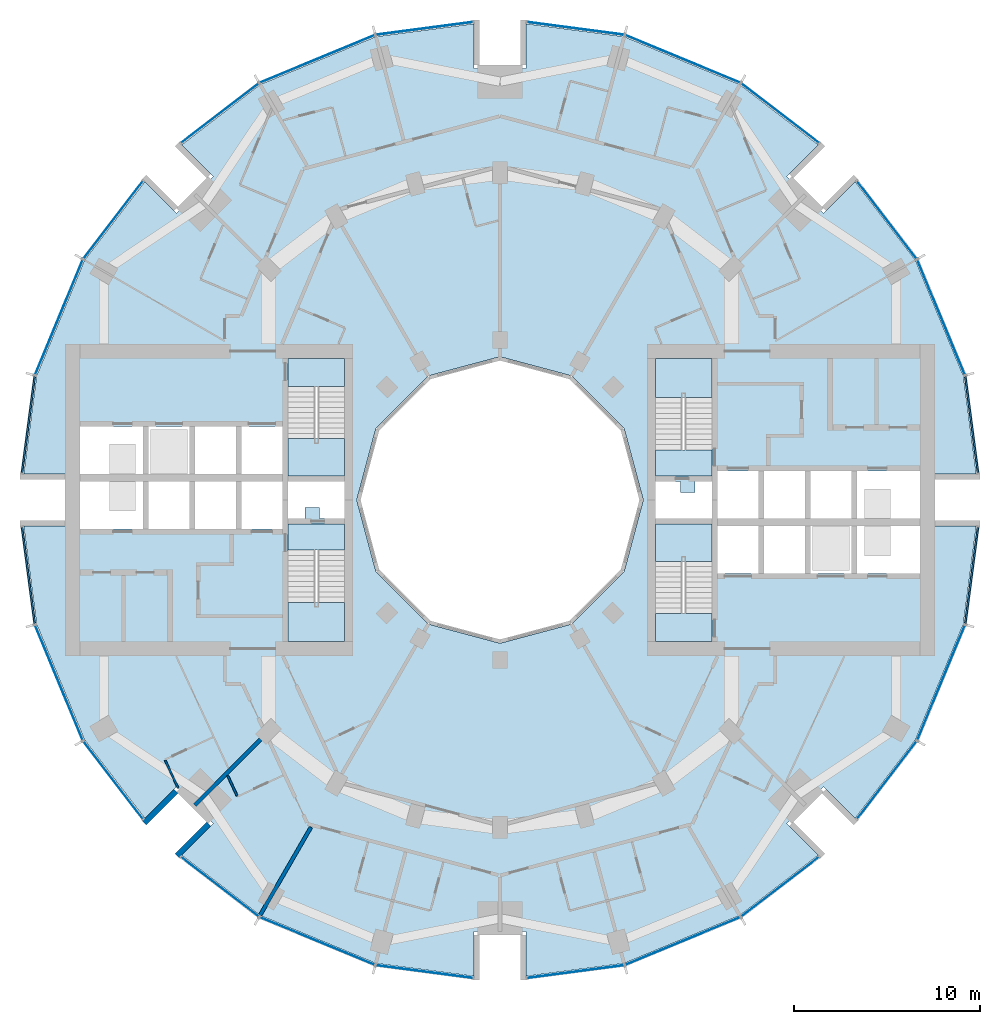
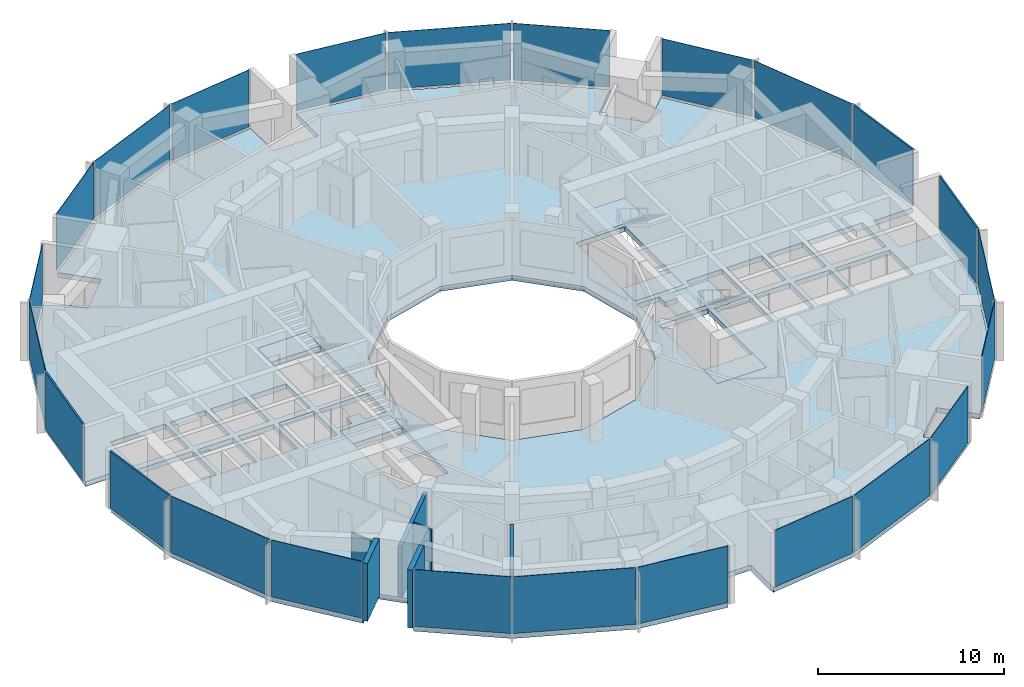
# One storey, part 7 of 15: 24 plates, 9 slabs, 6 walls, 28 elements without a shape of their own.
"""IFC4 building model written with IfcOpenShell, lengths in metres."""

import ifcopenshell
import ifcopenshell.guid

model = None  # the IFC model being written
_history = None  # IfcOwnerHistory: only IFC2X3 demands one
_inside = {}  # id of a spatial element -> (the spatial element, [elements in it])
_under = {}  # id of a project, library or spatial element -> (it, [spatial elements below it])
_declared = {}  # id of a project -> (the project, [libraries it declares])
_typed = {}  # id of a type object -> (the type object, [elements of that type])
_made_of = {}  # id of a material, layer set ... -> (it, [elements and type objects made of it])


def new_model(schema):
    """Start an empty IFC model of exactly this schema.

    Asked for "IFC4X3", IfcOpenShell would pick the latest addendum, in which some entities
    have other attributes; the version numbers below select the first issue.
    IFC2X3 requires an IfcOwnerHistory on every rooted entity: one is made here for all.
    """
    global model, _history
    if schema == "IFC4X3":
        model = ifcopenshell.file(schema_version=(4, 3, 0, 0))
    else:
        model = ifcopenshell.file(schema=schema)
    _inside.clear()
    _under.clear()
    _declared.clear()
    _typed.clear()
    _made_of.clear()
    _history = None
    if model.schema == "IFC2X3":
        org = make("IfcOrganization", Name="unknown")
        user = make(
            "IfcPersonAndOrganization",
            ThePerson=make("IfcPerson", FamilyName="unknown"),
            TheOrganization=org,
        )
        app = make(
            "IfcApplication",
            ApplicationDeveloper=org,
            Version="unknown",
            ApplicationFullName="unknown",
            ApplicationIdentifier="unknown",
        )
        _history = make(
            "IfcOwnerHistory",
            OwningUser=user,
            OwningApplication=app,
            ChangeAction="ADDED",
            CreationDate=0,
        )
    return model


def make(cls, **values):
    """One entity of the class cls with the attributes given. An attribute that is None is left unset."""
    return model.create_entity(
        cls, **{name: value for name, value in values.items() if value is not None}
    )


def rooted(cls, **values):
    """An entity with a GlobalId (a new one), such as an element, a storey or a relation."""
    return make(cls, GlobalId=ifcopenshell.guid.new(), OwnerHistory=_history, **values)


def si_unit(unit_type, name, prefix=None):
    """IfcSIUnit, for example si_unit("LENGTHUNIT", "METRE", prefix="MILLI")."""
    return make("IfcSIUnit", UnitType=unit_type, Prefix=prefix, Name=name)


def assignment(units):
    """IfcUnitAssignment: the units of a project."""
    return None if units is None else make("IfcUnitAssignment", Units=units)


def point(xyz):
    """IfcCartesianPoint."""
    return None if xyz is None else make("IfcCartesianPoint", Coordinates=xyz)


def direction(xyz):
    """IfcDirection."""
    return None if xyz is None else make("IfcDirection", DirectionRatios=xyz)


def frame(location, z_axis=None, x_axis=None):
    """IfcAxis2Placement3D, a coordinate frame: its origin and axes. An axis left out is left unset."""
    return make(
        "IfcAxis2Placement3D",
        Location=point(location),
        Axis=direction(z_axis),
        RefDirection=direction(x_axis),
    )


def frame_2d(location, x_axis=None):
    """IfcAxis2Placement2D, a coordinate frame in the plane: its origin and x axis."""
    return make(
        "IfcAxis2Placement2D", Location=point(location), RefDirection=direction(x_axis)
    )


def origin():
    """The frame at (0, 0, 0) with its axes left unset."""
    return frame((0.0, 0.0, 0.0))


def origin_2d():
    """The frame at (0, 0) in the plane with its x axis left unset."""
    return frame_2d((0.0, 0.0))


def place(relative_to, where):
    """IfcLocalPlacement: puts the frame where relative to a parent placement (None: the world)."""
    return make(
        "IfcLocalPlacement", PlacementRelTo=relative_to, RelativePlacement=where
    )


def context(
    kind, dimensions, precision=None, world=None, true_north=None, identifier=None
):
    """IfcGeometricRepresentationContext, for example the 3D "Model" context."""
    return make(
        "IfcGeometricRepresentationContext",
        ContextIdentifier=identifier,
        ContextType=kind,
        CoordinateSpaceDimension=dimensions,
        Precision=precision,
        WorldCoordinateSystem=world,
        TrueNorth=true_north,
    )


def subcontext(parent, identifier, kind, view, scale=None):
    """IfcGeometricRepresentationSubContext, for example "Body" below "Model"."""
    return make(
        "IfcGeometricRepresentationSubContext",
        ContextIdentifier=identifier,
        ContextType=kind,
        ParentContext=parent,
        TargetScale=scale,
        TargetView=view,
    )


def project(units=None, contexts=None):
    """IfcProject with its units and contexts."""
    return rooted(
        "IfcProject",
        Name="project",
        RepresentationContexts=contexts,
        UnitsInContext=assignment(units),
    )


def spatial(cls, under=None, at=None, **own):
    """A site, building, storey or space (cls), placed at a placement, below another one or the project."""
    s = rooted(cls, ObjectPlacement=at, **own)
    if under is not None:
        _under.setdefault(under.id(), (under, []))[1].append(s)
    return s


def polyline(points):
    """IfcPolyline through the points."""
    return make("IfcPolyline", Points=[point(p) for p in points])


def profile(cls, at=None, kind="AREA", **sizes):
    """A parametric profile (cls). Its sizes go by their IFC names, for example OverallWidth=200.0."""
    return make(cls, ProfileType=kind, Position=at, **sizes)


def rectangle(**sizes):
    """IfcRectangleProfileDef."""
    return profile("IfcRectangleProfileDef", **sizes)


def outline(outer, holes=None, kind="AREA"):
    """IfcArbitraryClosedProfileDef: a profile drawn as a closed curve; with holes, ...WithVoids."""
    if holes is None:
        return make("IfcArbitraryClosedProfileDef", ProfileType=kind, OuterCurve=outer)
    return make(
        "IfcArbitraryProfileDefWithVoids",
        ProfileType=kind,
        OuterCurve=outer,
        InnerCurves=holes,
    )


def extrude(swept, where, along, depth):
    """IfcExtrudedAreaSolid: the profile swept, set in the frame where, extruded along a direction by depth."""
    return make(
        "IfcExtrudedAreaSolid",
        SweptArea=swept,
        Position=where,
        ExtrudedDirection=direction(along),
        Depth=depth,
    )


def shape(context_of_items, identifier, shape_type, items):
    """IfcShapeRepresentation: the items that make up one representation, for example the "Body"."""
    return make(
        "IfcShapeRepresentation",
        ContextOfItems=context_of_items,
        RepresentationIdentifier=identifier,
        RepresentationType=shape_type,
        Items=items,
    )


def material(Name=None, Category=None):
    """IfcMaterial."""
    return make("IfcMaterial", Name=Name, Category=Category)


def layer(
    of_material, thickness, ventilated=None, Name=None, Category=None, Priority=None
):
    """IfcMaterialLayer: one layer of a wall or slab, of a material (None: an air gap)."""
    return make(
        "IfcMaterialLayer",
        Material=of_material,
        LayerThickness=thickness,
        IsVentilated=ventilated,
        Name=Name,
        Category=Category,
        Priority=Priority,
    )


def layer_set(layers, Name=None):
    """IfcMaterialLayerSet."""
    return make("IfcMaterialLayerSet", MaterialLayers=layers, LayerSetName=Name)


def made_of(thing, what):
    """Note that an element or type object is made of a material, layer set ...; save() writes the relation."""
    if what is not None:
        _made_of.setdefault(what.id(), (what, []))[1].append(thing)
    return thing


def type_object(cls, material=None, **own):
    """A type object (cls), such as IfcWallType, which elements share."""
    return made_of(rooted(cls, **own), material)


def element(
    cls,
    number,
    at=None,
    inside=None,
    cuts=None,
    type_object=None,
    material=None,
    context=None,
    identifier="Body",
    shape_type=None,
    held_by="IfcProductDefinitionShape",
    body=None,
    shapes=None,
    **own,
):
    """One element of the class cls, such as IfcWall. Its Tag is "e" and its number.

    at: its placement. inside: the storey or other place that contains it. cuts: it is an
    opening in that element (IfcRelVoidsElement). A single representation is given by context,
    identifier, shape_type and body (its items); several are given by shapes. held_by: the class
    of the entity that holds the representations. save() writes the other relations.
    """
    e = rooted(cls, Tag="e%d" % number, ObjectPlacement=at, **own)
    if body is not None:
        shapes = [shape(context, identifier, shape_type, body)]
    if shapes is not None:
        e.Representation = make(held_by, Representations=shapes)
    if inside is not None:
        _inside.setdefault(inside.id(), (inside, []))[1].append(e)
    if cuts is not None:
        rooted(
            "IfcRelVoidsElement", RelatingBuildingElement=cuts, RelatedOpeningElement=e
        )
    if type_object is not None:
        _typed.setdefault(type_object.id(), (type_object, []))[1].append(e)
    return made_of(e, material)


def aggregate(whole, parts):
    """IfcRelAggregates: a whole, such as a stair, and the parts it consists of."""
    return rooted("IfcRelAggregates", RelatingObject=whole, RelatedObjects=parts)


def save(model, path):
    """Write the relations noted so far, then the file.

    IfcRelAggregates (storeys below a building ...), IfcRelContainedInSpatialStructure (elements
    in a storey), IfcRelDefinesByType, IfcRelAssociatesMaterial and IfcRelDeclares: one each for
    every whole, place, type object, material and project.
    """
    for whole, parts in _under.values():
        aggregate(whole, parts)
    for where, things in _inside.values():
        rooted(
            "IfcRelContainedInSpatialStructure",
            RelatedElements=things,
            RelatingStructure=where,
        )
    for kind, things in _typed.values():
        rooted("IfcRelDefinesByType", RelatedObjects=things, RelatingType=kind)
    for what, things in _made_of.values():
        rooted("IfcRelAssociatesMaterial", RelatedObjects=things, RelatingMaterial=what)
    for by, libraries in _declared.values():
        rooted("IfcRelDeclares", RelatingContext=by, RelatedDefinitions=libraries)
    model.write(path)


model = new_model("IFC4")

# Units and contexts
model_context = context("Model", 3, precision=1e-05, world=origin(), true_north=direction((0.0, 1.0)))
body_context = subcontext(model_context, "Body", "Model", "MODEL_VIEW")
ifc_project = project(units=[si_unit("LENGTHUNIT", "METRE"), si_unit("AREAUNIT", "SQUARE_METRE"), si_unit("VOLUMEUNIT", "CUBIC_METRE"), si_unit("PLANEANGLEUNIT", "RADIAN"), si_unit("MASSUNIT", "GRAM", prefix="KILO")], contexts=[model_context])

# Site, building, storey
site_placement = place(None, origin())
site = spatial("IfcSite", under=ifc_project, at=site_placement, CompositionType="ELEMENT")
building_placement = place(site_placement, origin())
building = spatial("IfcBuilding", under=site, at=building_placement, Name="Torre Brocal", CompositionType="ELEMENT")
storey_placement = place(building_placement, frame((0.0, 0.0, 86.199951171875)))
storey = spatial("IfcBuildingStorey", under=building, at=storey_placement, Name="L19", CompositionType="ELEMENT", Elevation=86.199951171875)

# Curtain wall, plate
ifc_material_1 = material(Name="Aluminium and glass", Category="aluminium")
ifc_layer_1 = layer(ifc_material_1, 0.199951171875)
ifc_layer_set_1 = layer_set([ifc_layer_1], Name="Aluminium and glass")
curtain_wall_type_1 = type_object("IfcCurtainWallType", Name="CW-1 CURTAIN WALL 3800 HIGH", PredefinedType="NOTDEFINED", material=ifc_layer_set_1)
curtain_wall_1_placement = place(storey_placement, origin())
curtain_wall_1 = element("IfcCurtainWall", 1, at=curtain_wall_1_placement, inside=storey, type_object=curtain_wall_type_1, Name="CW-1 RUN 2", PredefinedType="NOTDEFINED")
ifc_material_2 = material(Name="Glass, dark tinted laminated", Category="glass")
ifc_layer_2 = layer(ifc_material_2, 0.031982421875)
ifc_layer_set_2 = layer_set([ifc_layer_2], Name="Glass, dark tinted laminated")
plate_type_1 = type_object("IfcPlateType", Name="CW-1 GLASS PANEL 32", PredefinedType="CURTAIN_PANEL", material=ifc_layer_set_2)
plate_1_placement = place(storey_placement, frame((103.722900390625, 84.826416015625, 0.080078125), z_axis=(0.0, 0.0, 1.0), x_axis=(-0.382683432333, 0.923879532525, 0.0)))
plate_1 = element("IfcPlate", 2, at=plate_1_placement, type_object=plate_type_1, Name="CW1-1 panel 1.1", PredefinedType="CURTAIN_PANEL", context=body_context, shape_type="SweptSolid", body=[
    extrude(rectangle(XDim=6.64111328125, YDim=0.031982421875, at=origin_2d()), origin(), (0.0, 0.0, 1.0), 3.719970703125),
])
aggregate(curtain_wall_1, [plate_1])

curtain_wall_2_placement = place(storey_placement, origin())
curtain_wall_2 = element("IfcCurtainWall", 3, at=curtain_wall_2_placement, inside=storey, type_object=curtain_wall_type_1, Name="CW-1 RUN 3", PredefinedType="NOTDEFINED")
plate_2_placement = place(storey_placement, frame((100.80126953125, 90.0712890625, 0.080078125), z_axis=(0.0, 0.0, 1.0), x_axis=(-0.60876142905, 0.793353340259, 0.0)))
plate_2 = element("IfcPlate", 4, at=plate_2_placement, type_object=plate_type_1, Name="CW1-1 panel 1.1", PredefinedType="CURTAIN_PANEL", context=body_context, shape_type="SweptSolid", body=[
    extrude(rectangle(XDim=5.22900390625, YDim=0.031982421875, at=origin_2d()), origin(), (0.0, 0.0, 1.0), 3.719970703125),
])
aggregate(curtain_wall_2, [plate_2])

curtain_wall_3_placement = place(storey_placement, origin())
curtain_wall_3 = element("IfcCurtainWall", 5, at=curtain_wall_3_placement, inside=storey, type_object=curtain_wall_type_1, Name="CW-1 RUN 4", PredefinedType="NOTDEFINED")
plate_3_placement = place(storey_placement, frame((95.0712890625, 95.80126953125, 0.080078125), z_axis=(0.0, 0.0, 1.0), x_axis=(-0.793353340259, 0.60876142905, 0.0)))
plate_3 = element("IfcPlate", 6, at=plate_3_placement, type_object=plate_type_1, Name="CW1-1 panel 1.1", PredefinedType="CURTAIN_PANEL", context=body_context, shape_type="SweptSolid", body=[
    extrude(rectangle(XDim=5.22900390625, YDim=0.031982421875, at=origin_2d()), origin(), (0.0, 0.0, 1.0), 3.719970703125),
])
aggregate(curtain_wall_3, [plate_3])

curtain_wall_4_placement = place(storey_placement, origin())
curtain_wall_4 = element("IfcCurtainWall", 7, at=curtain_wall_4_placement, inside=storey, type_object=curtain_wall_type_1, Name="CW-1 RUN 5", PredefinedType="NOTDEFINED")
plate_4_placement = place(storey_placement, frame((89.826416015625, 98.722900390625, 0.080078125), z_axis=(0.0, 0.0, 1.0), x_axis=(-0.923879532525, 0.382683432333, 0.0)))
plate_4 = element("IfcPlate", 8, at=plate_4_placement, type_object=plate_type_1, Name="CW1-1 panel 1.1", PredefinedType="CURTAIN_PANEL", context=body_context, shape_type="SweptSolid", body=[
    extrude(rectangle(XDim=6.64111328125, YDim=0.031982421875, at=origin_2d()), origin(), (0.0, 0.0, 1.0), 3.719970703125),
])
aggregate(curtain_wall_4, [plate_4])

curtain_wall_5_placement = place(storey_placement, origin())
curtain_wall_5 = element("IfcCurtainWall", 9, at=curtain_wall_5_placement, inside=storey, type_object=curtain_wall_type_1, Name="CW-1 RUN 6", PredefinedType="NOTDEFINED")
plate_5_placement = place(storey_placement, frame((84.051513671875, 100.36572265625, 0.080078125), z_axis=(0.0, 0.0, 1.0), x_axis=(-0.991444861374, 0.13052619222, 0.0)))
plate_5 = element("IfcPlate", 10, at=plate_5_placement, type_object=plate_type_1, Name="CW1-1 panel 1.1", PredefinedType="CURTAIN_PANEL", context=body_context, shape_type="SweptSolid", body=[
    extrude(rectangle(XDim=5.22900390625, YDim=0.031982421875, at=origin_2d()), origin(), (0.0, 0.0, 1.0), 3.719970703125),
])
aggregate(curtain_wall_5, [plate_5])

curtain_wall_6_placement = place(storey_placement, origin())
curtain_wall_6 = element("IfcCurtainWall", 11, at=curtain_wall_6_placement, inside=storey, type_object=curtain_wall_type_1, Name="CW-1 RUN 7", PredefinedType="NOTDEFINED")
plate_6_placement = place(storey_placement, frame((75.948486328125, 100.36572265625, 0.080078125), z_axis=(0.0, 0.0, 1.0), x_axis=(-0.991444861374, -0.13052619222, 0.0)))
plate_6 = element("IfcPlate", 12, at=plate_6_placement, type_object=plate_type_1, Name="CW1-1 panel 1.1", PredefinedType="CURTAIN_PANEL", context=body_context, shape_type="SweptSolid", body=[
    extrude(rectangle(XDim=5.22900390625, YDim=0.031982421875, at=origin_2d()), origin(), (0.0, 0.0, 1.0), 3.719970703125),
])
aggregate(curtain_wall_6, [plate_6])

curtain_wall_7_placement = place(storey_placement, origin())
curtain_wall_7 = element("IfcCurtainWall", 13, at=curtain_wall_7_placement, inside=storey, type_object=curtain_wall_type_1, Name="CW-1 RUN 8", PredefinedType="NOTDEFINED")
plate_7_placement = place(storey_placement, frame((70.173583984375, 98.722900390625, 0.080078125), z_axis=(0.0, 0.0, 1.0), x_axis=(-0.923879532525, -0.382683432333, 0.0)))
plate_7 = element("IfcPlate", 14, at=plate_7_placement, type_object=plate_type_1, Name="CW1-1 panel 1.1", PredefinedType="CURTAIN_PANEL", context=body_context, shape_type="SweptSolid", body=[
    extrude(rectangle(XDim=6.64111328125, YDim=0.031982421875, at=origin_2d()), origin(), (0.0, 0.0, 1.0), 3.719970703125),
])
aggregate(curtain_wall_7, [plate_7])

curtain_wall_8_placement = place(storey_placement, origin())
curtain_wall_8 = element("IfcCurtainWall", 15, at=curtain_wall_8_placement, inside=storey, type_object=curtain_wall_type_1, Name="CW-1 RUN 9", PredefinedType="NOTDEFINED")
plate_8_placement = place(storey_placement, frame((64.9287109375, 95.80126953125, 0.080078125), z_axis=(0.0, 0.0, 1.0), x_axis=(-0.793353340259, -0.60876142905, 0.0)))
plate_8 = element("IfcPlate", 16, at=plate_8_placement, type_object=plate_type_1, Name="CW1-1 panel 1.1", PredefinedType="CURTAIN_PANEL", context=body_context, shape_type="SweptSolid", body=[
    extrude(rectangle(XDim=5.22900390625, YDim=0.031982421875, at=origin_2d()), origin(), (0.0, 0.0, 1.0), 3.719970703125),
])
aggregate(curtain_wall_8, [plate_8])

curtain_wall_9_placement = place(storey_placement, origin())
curtain_wall_9 = element("IfcCurtainWall", 17, at=curtain_wall_9_placement, inside=storey, type_object=curtain_wall_type_1, Name="CW-1 RUN 10", PredefinedType="NOTDEFINED")
plate_9_placement = place(storey_placement, frame((59.19873046875, 90.0712890625, 0.080078125), z_axis=(0.0, 0.0, 1.0), x_axis=(-0.60876142905, -0.793353340259, 0.0)))
plate_9 = element("IfcPlate", 18, at=plate_9_placement, type_object=plate_type_1, Name="CW1-1 panel 1.1", PredefinedType="CURTAIN_PANEL", context=body_context, shape_type="SweptSolid", body=[
    extrude(rectangle(XDim=5.22900390625, YDim=0.031982421875, at=origin_2d()), origin(), (0.0, 0.0, 1.0), 3.719970703125),
])
aggregate(curtain_wall_9, [plate_9])

curtain_wall_10_placement = place(storey_placement, origin())
curtain_wall_10 = element("IfcCurtainWall", 19, at=curtain_wall_10_placement, inside=storey, type_object=curtain_wall_type_1, Name="CW-1 RUN 11", PredefinedType="NOTDEFINED")
plate_10_placement = place(storey_placement, frame((56.277099609375, 84.826416015625, 0.080078125), z_axis=(0.0, 0.0, 1.0), x_axis=(-0.382683432333, -0.923879532525, 0.0)))
plate_10 = element("IfcPlate", 20, at=plate_10_placement, type_object=plate_type_1, Name="CW1-1 panel 1.1", PredefinedType="CURTAIN_PANEL", context=body_context, shape_type="SweptSolid", body=[
    extrude(rectangle(XDim=6.64111328125, YDim=0.031982421875, at=origin_2d()), origin(), (0.0, 0.0, 1.0), 3.719970703125),
])
aggregate(curtain_wall_10, [plate_10])

curtain_wall_11_placement = place(storey_placement, origin())
curtain_wall_11 = element("IfcCurtainWall", 21, at=curtain_wall_11_placement, inside=storey, type_object=curtain_wall_type_1, Name="CW-1 RUN 14", PredefinedType="NOTDEFINED")
plate_11_placement = place(storey_placement, frame((56.277099609375, 65.173583984375, 0.080078125), z_axis=(0.0, 0.0, 1.0), x_axis=(0.382683432333, -0.923879532525, 0.0)))
plate_11 = element("IfcPlate", 22, at=plate_11_placement, type_object=plate_type_1, Name="CW1-1 panel 1.1", PredefinedType="CURTAIN_PANEL", context=body_context, shape_type="SweptSolid", body=[
    extrude(rectangle(XDim=6.64111328125, YDim=0.031982421875, at=origin_2d()), origin(), (0.0, 0.0, 1.0), 3.719970703125),
])
aggregate(curtain_wall_11, [plate_11])

curtain_wall_12_placement = place(storey_placement, origin())
curtain_wall_12 = element("IfcCurtainWall", 23, at=curtain_wall_12_placement, inside=storey, type_object=curtain_wall_type_1, Name="CW-1 RUN 15", PredefinedType="NOTDEFINED")
plate_12_placement = place(storey_placement, frame((59.19873046875, 59.9287109375, 0.080078125), z_axis=(0.0, 0.0, 1.0), x_axis=(0.60876142905, -0.793353340259, 0.0)))
plate_12 = element("IfcPlate", 24, at=plate_12_placement, type_object=plate_type_1, Name="CW1-1 panel 1.1", PredefinedType="CURTAIN_PANEL", context=body_context, shape_type="SweptSolid", body=[
    extrude(rectangle(XDim=5.22900390625, YDim=0.031982421875, at=origin_2d()), origin(), (0.0, 0.0, 1.0), 3.719970703125),
])
aggregate(curtain_wall_12, [plate_12])

curtain_wall_13_placement = place(storey_placement, origin())
curtain_wall_13 = element("IfcCurtainWall", 25, at=curtain_wall_13_placement, inside=storey, type_object=curtain_wall_type_1, Name="CW-1 RUN 16", PredefinedType="NOTDEFINED")
plate_13_placement = place(storey_placement, frame((64.9287109375, 54.19873046875, 0.080078125), z_axis=(0.0, 0.0, 1.0), x_axis=(0.793353340259, -0.60876142905, 0.0)))
plate_13 = element("IfcPlate", 26, at=plate_13_placement, type_object=plate_type_1, Name="CW1-1 panel 1.1", PredefinedType="CURTAIN_PANEL", context=body_context, shape_type="SweptSolid", body=[
    extrude(rectangle(XDim=5.22900390625, YDim=0.031982421875, at=origin_2d()), origin(), (0.0, 0.0, 1.0), 3.719970703125),
])
aggregate(curtain_wall_13, [plate_13])

curtain_wall_14_placement = place(storey_placement, origin())
curtain_wall_14 = element("IfcCurtainWall", 27, at=curtain_wall_14_placement, inside=storey, type_object=curtain_wall_type_1, Name="CW-1 RUN 17", PredefinedType="NOTDEFINED")
plate_14_placement = place(storey_placement, frame((70.173583984375, 51.277099609375, 0.080078125), z_axis=(0.0, 0.0, 1.0), x_axis=(0.923879532525, -0.382683432333, 0.0)))
plate_14 = element("IfcPlate", 28, at=plate_14_placement, type_object=plate_type_1, Name="CW1-1 panel 1.1", PredefinedType="CURTAIN_PANEL", context=body_context, shape_type="SweptSolid", body=[
    extrude(rectangle(XDim=6.64111328125, YDim=0.031982421875, at=origin_2d()), origin(), (0.0, 0.0, 1.0), 3.719970703125),
])
aggregate(curtain_wall_14, [plate_14])

curtain_wall_15_placement = place(storey_placement, origin())
curtain_wall_15 = element("IfcCurtainWall", 29, at=curtain_wall_15_placement, inside=storey, type_object=curtain_wall_type_1, Name="CW-1 RUN 18", PredefinedType="NOTDEFINED")
plate_15_placement = place(storey_placement, frame((75.948486328125, 49.63427734375, 0.080078125), z_axis=(0.0, 0.0, 1.0), x_axis=(0.991444861374, -0.13052619222, 0.0)))
plate_15 = element("IfcPlate", 30, at=plate_15_placement, type_object=plate_type_1, Name="CW1-1 panel 1.1", PredefinedType="CURTAIN_PANEL", context=body_context, shape_type="SweptSolid", body=[
    extrude(rectangle(XDim=5.22900390625, YDim=0.031982421875, at=origin_2d()), origin(), (0.0, 0.0, 1.0), 3.719970703125),
])
aggregate(curtain_wall_15, [plate_15])

curtain_wall_16_placement = place(storey_placement, origin())
curtain_wall_16 = element("IfcCurtainWall", 31, at=curtain_wall_16_placement, inside=storey, type_object=curtain_wall_type_1, Name="CW-1 RUN 19", PredefinedType="NOTDEFINED")
plate_16_placement = place(storey_placement, frame((84.051513671875, 49.63427734375, 0.080078125), z_axis=(0.0, 0.0, 1.0), x_axis=(0.991444861374, 0.13052619222, 0.0)))
plate_16 = element("IfcPlate", 32, at=plate_16_placement, type_object=plate_type_1, Name="CW1-1 panel 1.1", PredefinedType="CURTAIN_PANEL", context=body_context, shape_type="SweptSolid", body=[
    extrude(rectangle(XDim=5.22900390625, YDim=0.031982421875, at=origin_2d()), origin(), (0.0, 0.0, 1.0), 3.719970703125),
])
aggregate(curtain_wall_16, [plate_16])

curtain_wall_17_placement = place(storey_placement, origin())
curtain_wall_17 = element("IfcCurtainWall", 33, at=curtain_wall_17_placement, inside=storey, type_object=curtain_wall_type_1, Name="CW-1 RUN 20", PredefinedType="NOTDEFINED")
plate_17_placement = place(storey_placement, frame((89.826416015625, 51.277099609375, 0.080078125), z_axis=(0.0, 0.0, 1.0), x_axis=(0.923879532525, 0.382683432333, 0.0)))
plate_17 = element("IfcPlate", 34, at=plate_17_placement, type_object=plate_type_1, Name="CW1-1 panel 1.1", PredefinedType="CURTAIN_PANEL", context=body_context, shape_type="SweptSolid", body=[
    extrude(rectangle(XDim=6.64111328125, YDim=0.031982421875, at=origin_2d()), origin(), (0.0, 0.0, 1.0), 3.719970703125),
])
aggregate(curtain_wall_17, [plate_17])

curtain_wall_18_placement = place(storey_placement, origin())
curtain_wall_18 = element("IfcCurtainWall", 35, at=curtain_wall_18_placement, inside=storey, type_object=curtain_wall_type_1, Name="CW-1 RUN 21", PredefinedType="NOTDEFINED")
plate_18_placement = place(storey_placement, frame((95.0712890625, 54.19873046875, 0.080078125), z_axis=(0.0, 0.0, 1.0), x_axis=(0.793353340259, 0.60876142905, 0.0)))
plate_18 = element("IfcPlate", 36, at=plate_18_placement, type_object=plate_type_1, Name="CW1-1 panel 1.1", PredefinedType="CURTAIN_PANEL", context=body_context, shape_type="SweptSolid", body=[
    extrude(rectangle(XDim=5.22900390625, YDim=0.031982421875, at=origin_2d()), origin(), (0.0, 0.0, 1.0), 3.719970703125),
])
aggregate(curtain_wall_18, [plate_18])

curtain_wall_19_placement = place(storey_placement, origin())
curtain_wall_19 = element("IfcCurtainWall", 37, at=curtain_wall_19_placement, inside=storey, type_object=curtain_wall_type_1, Name="CW-1 RUN 22", PredefinedType="NOTDEFINED")
plate_19_placement = place(storey_placement, frame((100.80126953125, 59.9287109375, 0.080078125), z_axis=(0.0, 0.0, 1.0), x_axis=(0.60876142905, 0.793353340259, 0.0)))
plate_19 = element("IfcPlate", 38, at=plate_19_placement, type_object=plate_type_1, Name="CW1-1 panel 1.1", PredefinedType="CURTAIN_PANEL", context=body_context, shape_type="SweptSolid", body=[
    extrude(rectangle(XDim=5.22900390625, YDim=0.031982421875, at=origin_2d()), origin(), (0.0, 0.0, 1.0), 3.719970703125),
])
aggregate(curtain_wall_19, [plate_19])

curtain_wall_20_placement = place(storey_placement, origin())
curtain_wall_20 = element("IfcCurtainWall", 39, at=curtain_wall_20_placement, inside=storey, type_object=curtain_wall_type_1, Name="CW-1 RUN 23", PredefinedType="NOTDEFINED")
plate_20_placement = place(storey_placement, frame((103.722900390625, 65.173583984375, 0.080078125), z_axis=(0.0, 0.0, 1.0), x_axis=(0.382683432333, 0.923879532525, 0.0)))
plate_20 = element("IfcPlate", 40, at=plate_20_placement, type_object=plate_type_1, Name="CW1-1 panel 1.1", PredefinedType="CURTAIN_PANEL", context=body_context, shape_type="SweptSolid", body=[
    extrude(rectangle(XDim=6.64111328125, YDim=0.031982421875, at=origin_2d()), origin(), (0.0, 0.0, 1.0), 3.719970703125),
])
aggregate(curtain_wall_20, [plate_20])

ifc_material_3 = material(Name="Aluminium and glass", Category="aluminium")
ifc_layer_3 = layer(ifc_material_3, 0.199951171875)
ifc_layer_set_3 = layer_set([ifc_layer_3], Name="Aluminium and glass")
curtain_wall_type_2 = type_object("IfcCurtainWallType", Name="CW-1B CURTAIN WALL 3800 HIGH", PredefinedType="NOTDEFINED", material=ifc_layer_set_3)
curtain_wall_21_placement = place(storey_placement, origin())
curtain_wall_21 = element("IfcCurtainWall", 41, at=curtain_wall_21_placement, inside=storey, type_object=curtain_wall_type_2, Name="CW-1B RUN 1", PredefinedType="NOTDEFINED")
ifc_material_4 = material(Name="Aluminium composite panel", Category="aluminium")
ifc_layer_4 = layer(ifc_material_4, 0.10009765625)
ifc_layer_set_4 = layer_set([ifc_layer_4], Name="Aluminium composite panel")
plate_type_2 = type_object("IfcPlateType", Name="CW-1B OPAQUE PANEL 100", PredefinedType="CURTAIN_PANEL", material=ifc_layer_set_4)
plate_21_placement = place(storey_placement, frame((105.36572265625, 79.051513671875, 0.080078125), z_axis=(0.0, 0.0, 1.0), x_axis=(-0.13052619222, 0.991444861374, 0.0)))
plate_21 = element("IfcPlate", 42, at=plate_21_placement, type_object=plate_type_2, Name="CW1B-1 panel 1.1", PredefinedType="CURTAIN_PANEL", context=body_context, shape_type="SweptSolid", body=[
    extrude(rectangle(XDim=5.22900390625, YDim=0.10009765625, at=origin_2d()), origin(), (0.0, 0.0, 1.0), 3.719970703125),
])
aggregate(curtain_wall_21, [plate_21])

curtain_wall_22_placement = place(storey_placement, origin())
curtain_wall_22 = element("IfcCurtainWall", 43, at=curtain_wall_22_placement, inside=storey, type_object=curtain_wall_type_2, Name="CW-1B RUN 12", PredefinedType="NOTDEFINED")
plate_22_placement = place(storey_placement, frame((54.63427734375, 79.051513671875, 0.080078125), z_axis=(0.0, 0.0, 1.0), x_axis=(-0.13052619222, -0.991444861374, 0.0)))
plate_22 = element("IfcPlate", 44, at=plate_22_placement, type_object=plate_type_2, Name="CW1B-1 panel 1.1", PredefinedType="CURTAIN_PANEL", context=body_context, shape_type="SweptSolid", body=[
    extrude(rectangle(XDim=5.22900390625, YDim=0.10009765625, at=origin_2d()), origin(), (0.0, 0.0, 1.0), 3.719970703125),
])
aggregate(curtain_wall_22, [plate_22])

curtain_wall_23_placement = place(storey_placement, origin())
curtain_wall_23 = element("IfcCurtainWall", 45, at=curtain_wall_23_placement, inside=storey, type_object=curtain_wall_type_2, Name="CW-1B RUN 13", PredefinedType="NOTDEFINED")
plate_23_placement = place(storey_placement, frame((54.63427734375, 70.948486328125, 0.080078125), z_axis=(0.0, 0.0, 1.0), x_axis=(0.13052619222, -0.991444861374, 0.0)))
plate_23 = element("IfcPlate", 46, at=plate_23_placement, type_object=plate_type_2, Name="CW1B-1 panel 1.1", PredefinedType="CURTAIN_PANEL", context=body_context, shape_type="SweptSolid", body=[
    extrude(rectangle(XDim=5.22900390625, YDim=0.10009765625, at=origin_2d()), origin(), (0.0, 0.0, 1.0), 3.719970703125),
])
aggregate(curtain_wall_23, [plate_23])

curtain_wall_24_placement = place(storey_placement, origin())
curtain_wall_24 = element("IfcCurtainWall", 47, at=curtain_wall_24_placement, inside=storey, type_object=curtain_wall_type_2, Name="CW-1B RUN 24", PredefinedType="NOTDEFINED")
plate_24_placement = place(storey_placement, frame((105.36572265625, 70.948486328125, 0.080078125), z_axis=(0.0, 0.0, 1.0), x_axis=(0.13052619222, 0.991444861374, 0.0)))
plate_24 = element("IfcPlate", 48, at=plate_24_placement, type_object=plate_type_2, Name="CW1B-1 panel 1.1", PredefinedType="CURTAIN_PANEL", context=body_context, shape_type="SweptSolid", body=[
    extrude(rectangle(XDim=5.22900390625, YDim=0.10009765625, at=origin_2d()), origin(), (0.0, 0.0, 1.0), 3.719970703125),
])
aggregate(curtain_wall_24, [plate_24])

# Stair, slab
ifc_material_5 = material(Name="Concrete C50", Category="concrete")
stair_type = type_object("IfcStairType", Name="EXIT STAIR", PredefinedType="HALF_TURN_STAIR", material=ifc_material_5)
stair_1_placement = place(storey_placement, origin())
stair_1 = element("IfcStair", 49, at=stair_1_placement, inside=storey, type_object=stair_type, Name="EXIT STAIR ST1", PredefinedType="HALF_TURN_STAIR")
ifc_material_6 = material(Name="Concrete C50", Category="concrete")
ifc_layer_5 = layer(ifc_material_6, 0.320068359375)
ifc_layer_set_5 = layer_set([ifc_layer_5], Name="Concrete C50")
slab_type_1 = type_object("IfcSlabType", Name="FLOOR LANDING 320", PredefinedType="LANDING", material=ifc_layer_set_5)
slab_1_placement = place(storey_placement, frame((0.0, 0.0, -0.320068359375)))
slab_1 = element("IfcSlab", 50, at=slab_1_placement, type_object=slab_type_1, Name="ST1 landing 1", PredefinedType="LANDING", context=body_context, shape_type="SweptSolid", body=[
    extrude(outline(polyline([(88.35009765625, 76.300048828125), (91.39990234375, 76.300048828125), (91.39990234375, 77.699951171875), (88.35009765625, 77.699951171875), (88.35009765625, 76.300048828125)])), origin(), (0.0, 0.0, 1.0), 0.320068359375),
])

stair_2_placement = place(storey_placement, origin())
stair_2 = element("IfcStair", 51, at=stair_2_placement, inside=storey, type_object=stair_type, Name="EXIT STAIR ST2", PredefinedType="HALF_TURN_STAIR")
slab_2_placement = place(storey_placement, frame((0.0, 0.0, -0.320068359375)))
slab_2 = element("IfcSlab", 52, at=slab_2_placement, type_object=slab_type_1, Name="ST2 landing 1", PredefinedType="LANDING", context=body_context, shape_type="SweptSolid", body=[
    extrude(outline(polyline([(88.35009765625, 67.39990234375), (91.39990234375, 67.39990234375), (91.39990234375, 68.89990234375), (88.35009765625, 68.89990234375), (88.35009765625, 67.39990234375)])), origin(), (0.0, 0.0, 1.0), 0.320068359375),
])

stair_3_placement = place(storey_placement, origin())
stair_3 = element("IfcStair", 53, at=stair_3_placement, inside=storey, type_object=stair_type, Name="EXIT STAIR ST3", PredefinedType="HALF_TURN_STAIR")
slab_3_placement = place(storey_placement, frame((0.0, 0.0, -0.320068359375)))
slab_3 = element("IfcSlab", 54, at=slab_3_placement, type_object=slab_type_1, Name="ST3 landing 1", PredefinedType="LANDING", context=body_context, shape_type="SweptSolid", body=[
    extrude(outline(polyline([(71.64990234375, 73.699951171875), (68.60009765625, 73.699951171875), (68.60009765625, 72.300048828125), (71.64990234375, 72.300048828125), (71.64990234375, 73.699951171875)])), origin(), (0.0, 0.0, 1.0), 0.320068359375),
])

stair_4_placement = place(storey_placement, origin())
stair_4 = element("IfcStair", 55, at=stair_4_placement, inside=storey, type_object=stair_type, Name="EXIT STAIR ST4", PredefinedType="HALF_TURN_STAIR")
slab_4_placement = place(storey_placement, frame((0.0, 0.0, -0.320068359375)))
slab_4 = element("IfcSlab", 56, at=slab_4_placement, type_object=slab_type_1, Name="ST4 landing 1", PredefinedType="LANDING", context=body_context, shape_type="SweptSolid", body=[
    extrude(outline(polyline([(71.64990234375, 82.60009765625), (68.60009765625, 82.60009765625), (68.60009765625, 81.10009765625), (71.64990234375, 81.10009765625), (71.64990234375, 82.60009765625)])), origin(), (0.0, 0.0, 1.0), 0.320068359375),
])

# Slab
ifc_material_7 = material(Name="Concrete C50", Category="concrete")
ifc_layer_6 = layer(ifc_material_7, 0.199951171875)
ifc_layer_set_6 = layer_set([ifc_layer_6], Name="Concrete C50")
slab_type_2 = type_object("IfcSlabType", Name="MID LANDING +1900", PredefinedType="LANDING", material=ifc_layer_set_6)
slab_5_placement = place(storey_placement, frame((0.0, 0.0, 1.699951171875)))
slab_5 = element("IfcSlab", 57, at=slab_5_placement, type_object=slab_type_2, Name="ST1 landing 2", PredefinedType="LANDING", context=body_context, shape_type="SweptSolid", body=[
    extrude(outline(polyline([(88.35009765625, 80.5), (91.39990234375, 80.5), (91.39990234375, 82.60009765625), (88.35009765625, 82.60009765625), (88.35009765625, 80.5)])), origin(), (0.0, 0.0, 1.0), 0.2001953125),
])

aggregate(stair_1, [slab_1, slab_5])

slab_6_placement = place(storey_placement, frame((0.0, 0.0, 1.699951171875)))
slab_6 = element("IfcSlab", 58, at=slab_6_placement, type_object=slab_type_2, Name="ST2 landing 2", PredefinedType="LANDING", context=body_context, shape_type="SweptSolid", body=[
    extrude(outline(polyline([(88.35009765625, 71.699951171875), (91.39990234375, 71.699951171875), (91.39990234375, 73.699951171875), (88.35009765625, 73.699951171875), (88.35009765625, 71.699951171875)])), origin(), (0.0, 0.0, 1.0), 0.2001953125),
])

aggregate(stair_2, [slab_2, slab_6])

slab_7_placement = place(storey_placement, frame((0.0, 0.0, 1.699951171875)))
slab_7 = element("IfcSlab", 59, at=slab_7_placement, type_object=slab_type_2, Name="ST3 landing 2", PredefinedType="LANDING", context=body_context, shape_type="SweptSolid", body=[
    extrude(outline(polyline([(71.64990234375, 69.5), (68.60009765625, 69.5), (68.60009765625, 67.39990234375), (71.64990234375, 67.39990234375), (71.64990234375, 69.5)])), origin(), (0.0, 0.0, 1.0), 0.2001953125),
])

aggregate(stair_3, [slab_3, slab_7])

slab_8_placement = place(storey_placement, frame((0.0, 0.0, 1.699951171875)))
slab_8 = element("IfcSlab", 60, at=slab_8_placement, type_object=slab_type_2, Name="ST4 landing 2", PredefinedType="LANDING", context=body_context, shape_type="SweptSolid", body=[
    extrude(outline(polyline([(71.64990234375, 78.300048828125), (68.60009765625, 78.300048828125), (68.60009765625, 76.300048828125), (71.64990234375, 76.300048828125), (71.64990234375, 78.300048828125)])), origin(), (0.0, 0.0, 1.0), 0.2001953125),
])

aggregate(stair_4, [slab_4, slab_8])

ifc_material_8 = material(Name="Concrete C45", Category="concrete")
ifc_layer_7 = layer(ifc_material_8, 0.320068359375)
ifc_layer_set_7 = layer_set([ifc_layer_7], Name="Concrete C45")
slab_type_3 = type_object("IfcSlabType", Name="PT FLOOR SLAB 320 C45", PredefinedType="FLOOR", material=ifc_layer_set_7)
slab_9_placement = place(storey_placement, frame((0.0, 0.0, -0.320068359375)))
element("IfcSlab", 61, at=slab_9_placement, inside=storey, type_object=slab_type_3, Name="Slab ST-05", PredefinedType="FLOOR", context=body_context, shape_type="SweptSolid", body=[
    extrude(outline(polyline([(103.199951171875, 76.39990234375), (103.199951171875, 73.60009765625), (105.614013671875, 73.60009765625), (104.919189453125, 68.322998046875), (102.342041015625, 62.100830078125), (99.101806640625, 57.878173828125), (97.394775390625, 59.5849609375), (95.4150390625, 57.605224609375), (97.121826171875, 55.898193359375), (92.899169921875, 52.657958984375), (86.677001953125, 50.080810546875), (81.39990234375, 49.385986328125), (81.39990234375, 51.800048828125), (78.60009765625, 51.800048828125), (78.60009765625, 49.385986328125), (73.322998046875, 50.080810546875), (67.100830078125, 52.657958984375), (62.878173828125, 55.898193359375), (64.5849609375, 57.605224609375), (62.605224609375, 59.5849609375), (60.898193359375, 57.878173828125), (57.657958984375, 62.100830078125), (55.080810546875, 68.322998046875), (54.385986328125, 73.60009765625), (56.800048828125, 73.60009765625), (56.800048828125, 76.39990234375), (54.385986328125, 76.39990234375), (55.080810546875, 81.677001953125), (57.657958984375, 87.899169921875), (60.898193359375, 92.121826171875), (62.605224609375, 90.4150390625), (64.5849609375, 92.394775390625), (62.878173828125, 94.101806640625), (67.100830078125, 97.342041015625), (73.322998046875, 99.919189453125), (78.60009765625, 100.614013671875), (78.60009765625, 98.199951171875), (81.39990234375, 98.199951171875), (81.39990234375, 100.614013671875), (86.677001953125, 99.919189453125), (92.899169921875, 97.342041015625), (97.121826171875, 94.101806640625), (95.4150390625, 92.394775390625), (97.394775390625, 90.4150390625), (99.101806640625, 92.121826171875), (102.342041015625, 87.899169921875), (104.919189453125, 81.677001953125), (105.614013671875, 76.39990234375), (103.199951171875, 76.39990234375)]), holes=[polyline([(102.60009765625, 74.0), (102.60009765625, 76.550048828125), (99.199951171875, 76.550048828125), (99.199951171875, 74.0), (102.60009765625, 74.0)]), polyline([(102.60009765625, 71.050048828125), (102.60009765625, 73.60009765625), (99.199951171875, 73.60009765625), (99.199951171875, 71.050048828125), (102.60009765625, 71.050048828125)]), polyline([(98.89990234375, 76.550048828125), (96.699951171875, 76.550048828125), (96.699951171875, 74.0), (98.89990234375, 74.0), (98.89990234375, 76.550048828125)]), polyline([(98.89990234375, 71.050048828125), (98.89990234375, 73.60009765625), (96.699951171875, 73.60009765625), (96.699951171875, 71.050048828125), (98.89990234375, 71.050048828125)]), polyline([(96.39990234375, 73.60009765625), (94.199951171875, 73.60009765625), (94.199951171875, 71.050048828125), (96.39990234375, 71.050048828125), (96.39990234375, 73.60009765625)]), polyline([(96.39990234375, 74.0), (96.39990234375, 76.550048828125), (94.199951171875, 76.550048828125), (94.199951171875, 74.0), (96.39990234375, 74.0)]), polyline([(93.89990234375, 73.60009765625), (91.699951171875, 73.60009765625), (91.699951171875, 71.050048828125), (93.89990234375, 71.050048828125), (93.89990234375, 73.60009765625)]), polyline([(93.89990234375, 74.0), (93.89990234375, 76.550048828125), (91.699951171875, 76.550048828125), (91.699951171875, 74.0), (93.89990234375, 74.0)]), polyline([(91.39990234375, 76.300048828125), (91.39990234375, 82.60009765625), (88.35009765625, 82.60009765625), (88.35009765625, 76.300048828125), (91.39990234375, 76.300048828125)]), polyline([(91.39990234375, 73.699951171875), (88.35009765625, 73.699951171875), (88.35009765625, 67.39990234375), (91.39990234375, 67.39990234375), (91.39990234375, 73.699951171875)]), polyline([(89.699951171875, 76.0), (88.35009765625, 76.0), (88.35009765625, 74.0), (91.39990234375, 74.0), (91.39990234375, 76.0), (90.5, 76.0), (90.5, 75.39990234375), (89.699951171875, 75.39990234375), (89.699951171875, 76.0)]), polyline([(80.0, 82.70703125), (76.146484375, 81.674560546875), (73.325439453125, 78.853515625), (72.29296875, 75.0), (73.325439453125, 71.146484375), (76.146484375, 68.325439453125), (80.0, 67.29296875), (83.853515625, 68.325439453125), (86.674560546875, 71.146484375), (87.70703125, 75.0), (86.674560546875, 78.853515625), (83.853515625, 81.674560546875), (80.0, 82.70703125)]), polyline([(68.60009765625, 82.60009765625), (68.60009765625, 76.300048828125), (71.64990234375, 76.300048828125), (71.64990234375, 82.60009765625), (68.60009765625, 82.60009765625)]), polyline([(70.300048828125, 74.0), (71.64990234375, 74.0), (71.64990234375, 76.0), (68.60009765625, 76.0), (68.60009765625, 74.0), (69.5, 74.0), (69.5, 74.60009765625), (70.300048828125, 74.60009765625), (70.300048828125, 74.0)]), polyline([(68.60009765625, 67.39990234375), (71.64990234375, 67.39990234375), (71.64990234375, 73.699951171875), (68.60009765625, 73.699951171875), (68.60009765625, 67.39990234375)]), polyline([(66.10009765625, 78.949951171875), (66.10009765625, 76.39990234375), (68.300048828125, 76.39990234375), (68.300048828125, 78.949951171875), (66.10009765625, 78.949951171875)]), polyline([(66.10009765625, 76.0), (66.10009765625, 73.449951171875), (68.300048828125, 73.449951171875), (68.300048828125, 76.0), (66.10009765625, 76.0)]), polyline([(63.60009765625, 76.0), (63.60009765625, 73.449951171875), (65.800048828125, 73.449951171875), (65.800048828125, 76.0), (63.60009765625, 76.0)]), polyline([(63.60009765625, 76.39990234375), (65.800048828125, 76.39990234375), (65.800048828125, 78.949951171875), (63.60009765625, 78.949951171875), (63.60009765625, 76.39990234375)]), polyline([(61.10009765625, 78.949951171875), (61.10009765625, 76.39990234375), (63.300048828125, 76.39990234375), (63.300048828125, 78.949951171875), (61.10009765625, 78.949951171875)]), polyline([(61.10009765625, 73.449951171875), (63.300048828125, 73.449951171875), (63.300048828125, 76.0), (61.10009765625, 76.0), (61.10009765625, 73.449951171875)]), polyline([(57.39990234375, 73.449951171875), (60.800048828125, 73.449951171875), (60.800048828125, 76.0), (57.39990234375, 76.0), (57.39990234375, 73.449951171875)]), polyline([(57.39990234375, 78.949951171875), (57.39990234375, 76.39990234375), (60.800048828125, 76.39990234375), (60.800048828125, 78.949951171875), (57.39990234375, 78.949951171875)])]), origin(), (0.0, 0.0, 1.0), 0.320068359375),
])

# Walls
ifc_material_9 = material(Name="Concrete C80", Category="concrete")
ifc_layer_8 = layer(ifc_material_9, 0.300048828125)
ifc_layer_set_8 = layer_set([ifc_layer_8], Name="Concrete C80")
wall_type_1 = type_object("IfcWallType", Name="NOTCH RETURN WALL 300 C80", PredefinedType="NOTDEFINED", material=ifc_layer_set_8)
for number, where, z_axis, x_axis, name in (
    (62, (62.56982421875, 59.337646484375, 0.0), (0.0, 0.0, 1.0), (-0.707106781187, -0.707106781187, 0.0), "NOTCH RETURN WALL"),
    (63, (64.337646484375, 57.56982421875, 0.0), (0.0, 0.0, 1.0), (-0.707106781187, -0.707106781187, 0.0), "NOTCH RETURN WALL"),
):
    element("IfcWall", number, at=place(storey_placement, frame(where, z_axis=z_axis, x_axis=x_axis)), inside=storey, type_object=wall_type_1, Name=name, PredefinedType="NOTDEFINED", context=body_context, shape_type="SweptSolid", body=[
        extrude(rectangle(XDim=2.415771484375, YDim=0.300048828125, at=frame_2d((1.2080078125, 0.0))), origin(), (0.0, 0.0, 1.0), 3.800048828125),
    ])
ifc_material_10 = material(Name="Gypsum board", Category="Gypsum")
ifc_layer_9 = layer(ifc_material_10, 0.10009765625)
ifc_layer_set_9 = layer_set([ifc_layer_9], Name="Gypsum board")
wall_type_2 = type_object("IfcWallType", Name="PARTITION 100", PredefinedType="PARTITIONING", material=ifc_layer_set_9)
wall_1_placement = place(storey_placement, frame((61.99609375, 60.99169921875, 0.0), z_axis=(0.0, 0.0, 1.0), x_axis=(0.422318684634, -0.906447421867, 0.0)))
element("IfcWall", 64, at=wall_1_placement, inside=storey, type_object=wall_type_2, Name="BATHROOM WALL", PredefinedType="PARTITIONING", context=body_context, shape_type="SweptSolid", body=[
    extrude(rectangle(XDim=1.62744140625, YDim=0.10009765625, at=frame_2d((0.813720703125, 0.0))), origin(), (0.0, 0.0, 1.0), 3.35009765625),
])
wall_2_placement = place(storey_placement, frame((65.34765625, 60.188232421875, 0.0), z_axis=(0.0, 0.0, 1.0), x_axis=(0.422387529151, -0.906415343657, 0.0)))
element("IfcWall", 65, at=wall_2_placement, inside=storey, type_object=wall_type_2, Name="BATHROOM WALL", PredefinedType="PARTITIONING", context=body_context, shape_type="SweptSolid", body=[
    extrude(rectangle(XDim=1.2080078125, YDim=0.10009765625, at=frame_2d((0.60400390625, 0.0))), origin(), (0.0, 0.0, 1.0), 3.35009765625),
])
ifc_material_11 = material(Name="Gypsum board", Category="Gypsum")
ifc_layer_10 = layer(ifc_material_11, 0.199951171875)
ifc_layer_set_10 = layer_set([ifc_layer_10], Name="Gypsum board")
wall_type_3 = type_object("IfcWallType", Name="PARTITION 200 EI60", PredefinedType="PARTITIONING", material=ifc_layer_set_10)
wall_3_placement = place(storey_placement, frame((63.592529296875, 58.598876953125, 0.0), z_axis=(0.0, 0.0, 1.0), x_axis=(0.707292874152, 0.706920639233, 0.0)))
element("IfcWall", 66, at=wall_3_placement, inside=storey, type_object=wall_type_3, Name="BATHROOM WALL", PredefinedType="PARTITIONING", context=body_context, shape_type="SweptSolid", body=[
    extrude(rectangle(XDim=5.2470703125, YDim=0.199951171875, at=frame_2d((2.62353515625, 0.0))), origin(), (0.0, 0.0, 1.0), 3.35009765625),
])
wall_4_placement = place(storey_placement, frame((67.094482421875, 52.66259765625, 0.0), z_axis=(0.0, 0.0, 1.0), x_axis=(0.50023225055, 0.865891272337, 0.0)))
element("IfcWall", 67, at=wall_4_placement, inside=storey, type_object=wall_type_3, Name="PARTY PARTITION", PredefinedType="PARTITIONING", context=body_context, shape_type="SweptSolid", body=[
    extrude(rectangle(XDim=5.4716796875, YDim=0.199951171875, at=frame_2d((2.73583984375, 0.0))), origin(), (0.0, 0.0, 1.0), 3.35009765625),
])

save(model, "model.ifc")
